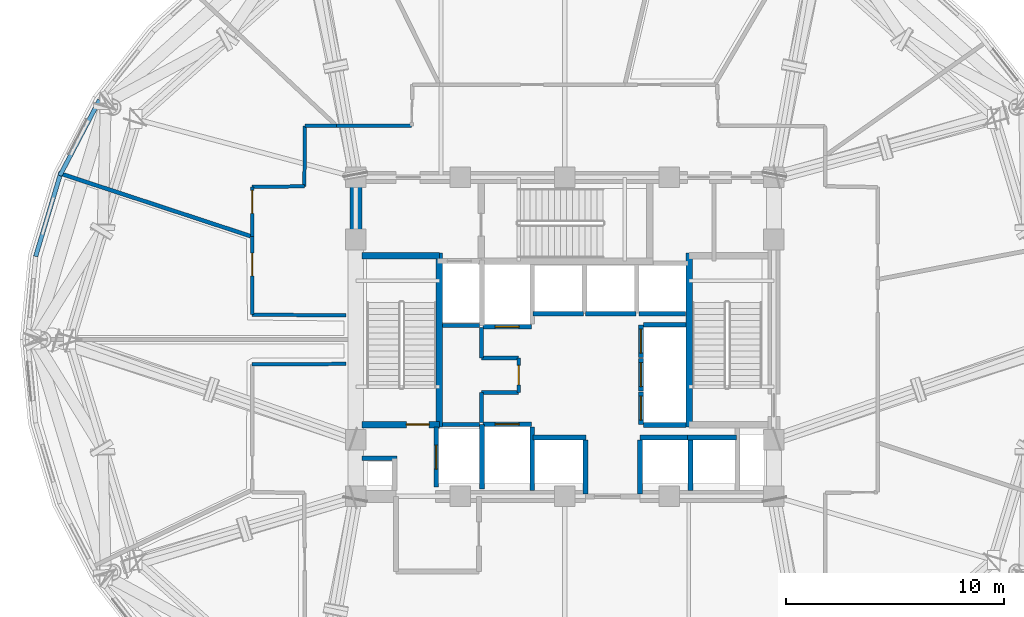
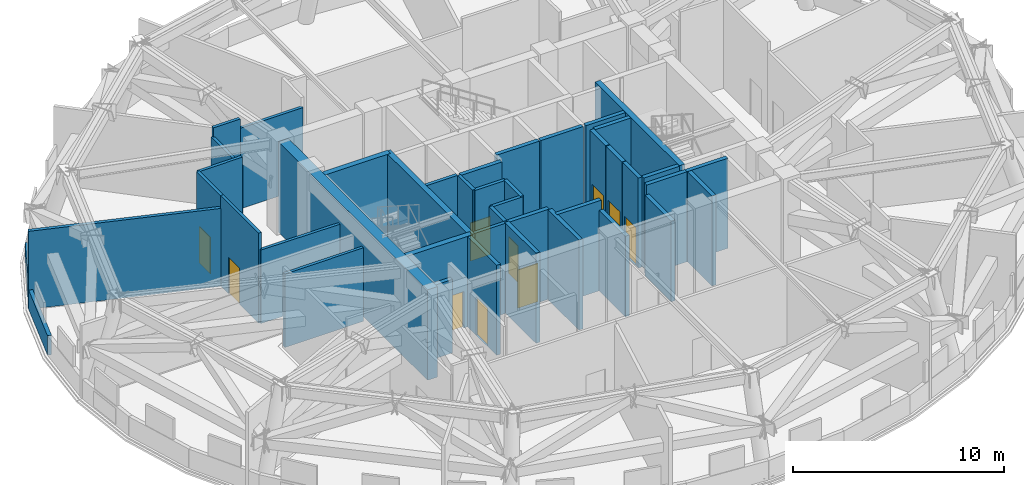
# One storey, part 7 of 13: 43 walls, 10 doors, 10 openings.
"""IFC4 building model written with IfcOpenShell, lengths in metres."""

from ifc_helpers import new_model, si_unit, direction, frame, frame_2d, origin, place, context, subcontext, project, spatial, rectangle, extrude, material, layer, layer_set, type_object, element, fill, save


model = new_model("IFC4")

# Units and contexts
model_context = context("Model", 3, precision=1e-05, world=origin(), true_north=direction((0.0, 1.0)))
body_context = subcontext(model_context, "Body", "Model", "MODEL_VIEW")
ifc_project = project(units=[si_unit("LENGTHUNIT", "METRE"), si_unit("AREAUNIT", "SQUARE_METRE"), si_unit("VOLUMEUNIT", "CUBIC_METRE"), si_unit("PLANEANGLEUNIT", "RADIAN"), si_unit("MASSUNIT", "GRAM", prefix="KILO")], contexts=[model_context])

# Site, building, storey
site_placement = place(None, origin())
site = spatial("IfcSite", under=ifc_project, at=site_placement, CompositionType="ELEMENT")
building_placement = place(site_placement, origin())
building = spatial("IfcBuilding", under=site, at=building_placement, Name="Vantalir Tower", CompositionType="ELEMENT")
storey_placement = place(building_placement, frame((0.0, 0.0, 175.949951171875)))
storey = spatial("IfcBuildingStorey", under=building, at=storey_placement, Name="L44", CompositionType="ELEMENT", Elevation=175.949951171875)

# Walls
ifc_material_1 = material(Name="Concrete C60/75", Category="concrete")
ifc_layer_1 = layer(ifc_material_1, 0.550048828125)
ifc_layer_set_1 = layer_set([ifc_layer_1], Name="Concrete C60/75")
wall_type_1 = type_object("IfcWallType", Name="WL-CORE-550", PredefinedType="SHEAR", material=ifc_layer_set_1)
wall_1_placement = place(storey_placement, frame((21.89990234375, 18.074951171875, 0.0), z_axis=(0.0, 0.0, 1.0), x_axis=(0.0, 1.0, 0.0)))
element("IfcWall", 1, at=wall_1_placement, inside=storey, type_object=wall_type_1, Name="L44 Core Shear Wall West", PredefinedType="SHEAR", context=body_context, shape_type="SweptSolid", body=[
    extrude(rectangle(XDim=14.10009765625, YDim=0.550048828125, at=frame_2d((7.050048828125, 0.0))), origin(), (0.0, 0.0, 1.0), 5.219970703125),
])
ifc_material_2 = material(Name="Fire-rated hotel corridor acoustic partition", Category="gypsum")
ifc_layer_2 = layer(ifc_material_2, 0.159912109375)
ifc_layer_set_2 = layer_set([ifc_layer_2], Name="Fire-rated hotel corridor acoustic partition")
wall_type_2 = type_object("IfcWallType", Name="WL-CORR-160", PredefinedType="PARTITIONING", material=ifc_layer_set_2)
wall_2_placement = place(storey_placement, frame((21.445068359375, 26.115966796875, 0.0), z_axis=(0.0, 0.0, 1.0), x_axis=(-0.999981624627, 0.006062211549, 0.0)))
element("IfcWall", 2, at=wall_2_placement, inside=storey, type_object=wall_type_2, Name="L44 Corridor Partition 01", PredefinedType="PARTITIONING", context=body_context, shape_type="SweptSolid", body=[
    extrude(rectangle(XDim=4.30908203125, YDim=0.159912109375, at=frame_2d((2.154541015625, 0.0))), origin(), (0.0, 0.0, 1.0), 4.2451171875),
])

# Wall, opening, door
wall_3_placement = place(storey_placement, frame((17.135986328125, 26.14208984375, 0.0), z_axis=(0.0, 0.0, 1.0), x_axis=(0.0, 1.0, 0.0)))
wall_3 = element("IfcWall", 3, at=wall_3_placement, inside=storey, type_object=wall_type_2, Name="L44 Corridor Partition 02", PredefinedType="PARTITIONING", context=body_context, shape_type="SweptSolid", body=[
    extrude(rectangle(XDim=3.5859375, YDim=0.159912109375, at=frame_2d((1.79296875, 0.0))), origin(), (0.0, 0.0, 1.0), 5.199951171875),
])
opening_1_placement = place(wall_3_placement, frame((1.784912109375, 0.0, 0.0)))
opening_1 = element("IfcOpeningElement", 4, at=opening_1_placement, cuts=wall_3, Name="Opening D-ST", PredefinedType="OPENING", context=body_context, shape_type="SweptSolid", body=[
    extrude(rectangle(XDim=1.050048828125, YDim=2.10009765625, at=frame_2d((0.52490234375, 1.050048828125))), frame((0.0, 0.08984375, 0.0), z_axis=(0.0, -1.0, 0.0), x_axis=(1.0, 0.0, 0.0)), (0.0, 0.0, 1.0), 0.179931640625),
])
ifc_material_3 = material(Name="Fire-rated steel door leaf", Category="steel")
door_type_1 = type_object("IfcDoorType", Name="DR-FIRE-STAIR-1050", OperationType="NOTDEFINED", PredefinedType="DOOR", material=ifc_material_3)
door_1_placement = place(opening_1_placement, origin())
door_1 = element("IfcDoor", 5, at=door_1_placement, inside=storey, type_object=door_type_1, Name="L44 Domestic Cold Water Booster Plant Room Door", OperationType="SINGLE_SWING_RIGHT", OverallHeight=2.10009765625, OverallWidth=1.050048828125, PredefinedType="DOOR", context=body_context, shape_type="SweptSolid", body=[
    extrude(rectangle(XDim=1.050048828125, YDim=2.10009765625, at=frame_2d((0.52490234375, 1.050048828125))), frame((0.0, 0.02490234375, 0.0), z_axis=(0.0, -1.0, 0.0), x_axis=(1.0, 0.0, 0.0)), (0.0, 0.0, 1.0), 0.050048828125),
])
fill(opening_1, door_1)

wall_4_placement = place(storey_placement, frame((17.135986328125, 29.72802734375, 0.0), z_axis=(0.0, 0.0, 1.0), x_axis=(0.000427578796, 0.999999908588, 0.0)))
wall_4 = element("IfcWall", 6, at=wall_4_placement, inside=storey, type_object=wall_type_2, Name="L44 Corridor Partition 03", PredefinedType="PARTITIONING", context=body_context, shape_type="SweptSolid", body=[
    extrude(rectangle(XDim=2.283935546875, YDim=0.159912109375, at=frame_2d((1.14208984375, 0.0))), origin(), (0.0, 0.0, 1.0), 5.199951171875),
])
opening_2_placement = place(wall_4_placement, frame((1.073974609375, 0.0, 0.0)))
opening_2 = element("IfcOpeningElement", 7, at=opening_2_placement, cuts=wall_4, Name="Opening D-ST", PredefinedType="OPENING", context=body_context, shape_type="SweptSolid", body=[
    extrude(rectangle(XDim=1.050048828125, YDim=2.10009765625, at=frame_2d((0.52490234375, 1.050048828125))), frame((0.0, 0.08984375, 0.0), z_axis=(0.0, -1.0, 0.0), x_axis=(1.0, 0.0, 0.0)), (0.0, 0.0, 1.0), 0.179931640625),
])
door_2_placement = place(opening_2_placement, origin())
door_2 = element("IfcDoor", 8, at=door_2_placement, inside=storey, type_object=door_type_1, Name="L44 Fire Sprinkler Transfer Pump Plant Room Door", OperationType="SINGLE_SWING_LEFT", OverallHeight=2.10009765625, OverallWidth=1.050048828125, PredefinedType="DOOR", context=body_context, shape_type="SweptSolid", body=[
    extrude(rectangle(XDim=1.050048828125, YDim=2.10009765625, at=frame_2d((0.52490234375, 1.050048828125))), frame((0.0, 0.02490234375, 0.0), z_axis=(0.0, -1.0, 0.0), x_axis=(1.0, 0.0, 0.0)), (0.0, 0.0, 1.0), 0.050048828125),
])
fill(opening_2, door_2)

# Walls
wall_5_placement = place(storey_placement, frame((17.136962890625, 32.011962890625, 0.0), z_axis=(0.0, 0.0, 1.0), x_axis=(0.999931463618, 0.01170760724, 0.0)))
element("IfcWall", 9, at=wall_5_placement, inside=storey, type_object=wall_type_2, Name="L44 Corridor Partition 04", PredefinedType="PARTITIONING", context=body_context, shape_type="SweptSolid", body=[
    extrude(rectangle(XDim=2.398193359375, YDim=0.159912109375, at=frame_2d((1.19921875, 0.0))), origin(), (0.0, 0.0, 1.0), 5.199951171875),
])
wall_6_placement = place(storey_placement, frame((19.534912109375, 32.0400390625, 0.0), z_axis=(0.0, 0.0, 1.0), x_axis=(0.009071319538, 0.999958854734, 0.0)))
element("IfcWall", 10, at=wall_6_placement, inside=storey, type_object=wall_type_2, Name="L44 Corridor Partition 05", PredefinedType="PARTITIONING", context=body_context, shape_type="SweptSolid", body=[
    extrude(rectangle(XDim=2.77197265625, YDim=0.159912109375, at=frame_2d((1.385986328125, 0.0))), origin(), (0.0, 0.0, 1.0), 4.656005859375),
])
wall_7_placement = place(storey_placement, frame((19.56005859375, 34.81201171875, 0.0), z_axis=(0.0, 0.0, 1.0), x_axis=(0.999999776886, 0.000668002523, 0.0)))
element("IfcWall", 11, at=wall_7_placement, inside=storey, type_object=wall_type_2, Name="L44 Corridor Partition 06", PredefinedType="PARTITIONING", context=body_context, shape_type="SweptSolid", body=[
    extrude(rectangle(XDim=1.4619140625, YDim=0.159912109375, at=frame_2d((0.73095703125, 0.0))), origin(), (0.0, 0.0, 1.0), 5.199951171875),
])
wall_8_placement = place(storey_placement, frame((21.02197265625, 34.81298828125, 0.0), z_axis=(0.0, 0.0, 1.0), x_axis=(0.999999838631, 0.00056810103, 0.0)))
element("IfcWall", 12, at=wall_8_placement, inside=storey, type_object=wall_type_2, Name="L44 Corridor Partition 07", PredefinedType="PARTITIONING", context=body_context, shape_type="SweptSolid", body=[
    extrude(rectangle(XDim=3.43798828125, YDim=0.159912109375, at=frame_2d((1.718994140625, 0.0))), origin(), (0.0, 0.0, 1.0), 4.656005859375),
])
wall_9_placement = place(storey_placement, frame((17.135986328125, 23.85791015625, 0.0), z_axis=(0.0, 0.0, 1.0), x_axis=(0.999981624627, 0.006062211549, 0.0)))
element("IfcWall", 13, at=wall_9_placement, inside=storey, type_object=wall_type_2, Name="L44 Corridor Partition 30", PredefinedType="PARTITIONING", context=body_context, shape_type="SweptSolid", body=[
    extrude(rectangle(XDim=4.30908203125, YDim=0.159912109375, at=frame_2d((2.154541015625, 0.0))), origin(), (0.0, 0.0, 1.0), 4.2451171875),
])
ifc_material_4 = material(Name="Concrete blockwork with fireboard lining", Category="masonry")
ifc_layer_3 = layer(ifc_material_4, 0.219970703125)
ifc_layer_set_3 = layer_set([ifc_layer_3], Name="Concrete blockwork with fireboard lining")
wall_type_3 = type_object("IfcWallType", Name="WL-FFL-220", PredefinedType="PARTITIONING", material=ifc_layer_set_3)
wall_10_placement = place(storey_placement, frame((30.0, 18.080078125, 0.0), z_axis=(0.0, 0.0, 1.0), x_axis=(0.0, 1.0, 0.0)))
element("IfcWall", 14, at=wall_10_placement, inside=storey, type_object=wall_type_3, Name="L44 Service Lift SV1 East Shaft Wall", PredefinedType="PARTITIONING", context=body_context, shape_type="SweptSolid", body=[
    extrude(rectangle(XDim=2.89990234375, YDim=0.219970703125, at=frame_2d((1.449951171875, 0.0))), origin(), (0.0, 0.0, 1.0), 5.195068359375),
])
for number, where, z_axis, x_axis, name in (
    (15, (32.449951171875, 17.919921875, 0.0), (0.0, 0.0, 1.0), (0.0, 1.0, 0.0), "L44 Shuttle Lift PL-X1 East Shaft Cheek"),
    (16, (34.949951171875, 17.919921875, 0.0), (0.0, 0.0, 1.0), (0.0, 1.0, 0.0), "L44 Shuttle Lift PL-X3 West Shaft Cheek"),
):
    element("IfcWall", number, at=place(storey_placement, frame(where, z_axis=z_axis, x_axis=x_axis)), inside=storey, type_object=wall_type_3, Name=name, PredefinedType="PARTITIONING", context=body_context, shape_type="SweptSolid", body=[
        extrude(rectangle(XDim=2.469970703125, YDim=0.219970703125, at=frame_2d((1.23486328125, 0.0))), origin(), (0.0, 0.0, 1.0), 4.656005859375),
    ])
wall_11_placement = place(storey_placement, frame((37.27490234375, 18.080078125, 0.0), z_axis=(0.0, 0.0, 1.0), x_axis=(0.0, 1.0, 0.0)))
element("IfcWall", 17, at=wall_11_placement, inside=storey, type_object=wall_type_3, Name="L44 Shuttle Lift PL-X2/X3 Shaft Divider", PredefinedType="PARTITIONING", context=body_context, shape_type="SweptSolid", body=[
    extrude(rectangle(XDim=2.309814453125, YDim=0.219970703125, at=frame_2d((1.15478515625, 0.0))), origin(), (0.0, 0.0, 1.0), 5.195068359375),
])
wall_12_placement = place(storey_placement, frame((34.909912109375, 26.18994140625, 0.0), z_axis=(0.0, 0.0, 1.0), x_axis=(1.0, 0.0, 0.0)))
element("IfcWall", 18, at=wall_12_placement, inside=storey, type_object=wall_type_3, Name="L44 High-Rise Lift PL-H3 Rear Shaft Wall", PredefinedType="PARTITIONING", context=body_context, shape_type="SweptSolid", body=[
    extrude(rectangle(XDim=2.14013671875, YDim=0.219970703125, at=frame_2d((1.070068359375, 0.0))), origin(), (0.0, 0.0, 1.0), 5.195068359375),
])
wall_13_placement = place(storey_placement, frame((22.175048828125, 19.550048828125, 0.0), z_axis=(0.0, 0.0, 1.0), x_axis=(1.0, 0.0, 0.0)))
element("IfcWall", 19, at=wall_13_placement, inside=storey, type_object=wall_type_3, Name="L44 West MEP Riser Wall N", PredefinedType="PARTITIONING", context=body_context, shape_type="SweptSolid", body=[
    extrude(rectangle(XDim=1.614990234375, YDim=0.219970703125, at=frame_2d((0.8076171875, 0.0))), origin(), (0.0, 0.0, 1.0), 4.2451171875),
])

# Wall, opening, door
wall_14_placement = place(storey_placement, frame((25.590087890625, 18.219970703125, 0.0), z_axis=(0.0, 0.0, 1.0), x_axis=(0.0, 1.0, 0.0)))
wall_14 = element("IfcWall", 20, at=wall_14_placement, inside=storey, type_object=wall_type_3, Name="L44 Lift FL1 Shaft Front Wall", PredefinedType="PARTITIONING", context=body_context, shape_type="SweptSolid", body=[
    extrude(rectangle(XDim=2.760009765625, YDim=0.219970703125, at=frame_2d((1.3798828125, 0.0))), origin(), (0.0, 0.0, 1.0), 5.199951171875),
])
opening_3_placement = place(wall_14_placement, frame((0.830078125, 0.0, 0.0)))
opening_3 = element("IfcOpeningElement", 21, at=opening_3_placement, cuts=wall_14, Name="Opening LD-FL1", PredefinedType="OPENING", context=body_context, shape_type="SweptSolid", body=[
    extrude(rectangle(XDim=1.10009765625, YDim=2.199951171875, at=frame_2d((0.550048828125, 1.10009765625))), frame((0.0, 0.119873046875, 0.0), z_axis=(0.0, -1.0, 0.0), x_axis=(1.0, 0.0, 0.0)), (0.0, 0.0, 1.0), 0.239990234375),
])
ifc_material_5 = material(Name="Brushed stainless-steel sliding lift landing door", Category="steel")
door_type_2 = type_object("IfcDoorType", Name="DR-LIFT-LANDING-1100", OperationType="DOUBLE_DOOR_SLIDING", PredefinedType="DOOR", material=ifc_material_5)
door_3_placement = place(opening_3_placement, origin())
door_3 = element("IfcDoor", 22, at=door_3_placement, inside=storey, type_object=door_type_2, Name="L44 Lift Landing Door FL1", OperationType="DOUBLE_DOOR_SLIDING", OverallHeight=2.199951171875, OverallWidth=1.10009765625, PredefinedType="DOOR", context=body_context, shape_type="SweptSolid", body=[
    extrude(rectangle(XDim=1.10009765625, YDim=2.199951171875, at=frame_2d((0.550048828125, 1.10009765625))), frame((0.0, 0.02490234375, 0.0), z_axis=(0.0, -1.0, 0.0), x_axis=(1.0, 0.0, 0.0)), (0.0, 0.0, 1.0), 0.050048828125),
])
fill(opening_3, door_3)

wall_15_placement = place(storey_placement, frame((27.739990234375, 21.110107421875, 0.0), z_axis=(0.0, 0.0, 1.0), x_axis=(1.0, 0.0, 0.0)))
wall_15 = element("IfcWall", 23, at=wall_15_placement, inside=storey, type_object=wall_type_3, Name="L44 Lift SV1 Shaft Front Wall", PredefinedType="PARTITIONING", context=body_context, shape_type="SweptSolid", body=[
    extrude(rectangle(XDim=2.219970703125, YDim=0.219970703125, at=frame_2d((1.10986328125, 0.0))), origin(), (0.0, 0.0, 1.0), 5.199951171875),
])
opening_4_placement = place(wall_15_placement, frame((0.56005859375, 0.0, 0.0)))
opening_4 = element("IfcOpeningElement", 24, at=opening_4_placement, cuts=wall_15, Name="Opening LD-SV1", PredefinedType="OPENING", context=body_context, shape_type="SweptSolid", body=[
    extrude(rectangle(XDim=1.10009765625, YDim=2.199951171875, at=frame_2d((0.550048828125, 1.10009765625))), frame((0.0, 0.119873046875, 0.0), z_axis=(0.0, -1.0, 0.0), x_axis=(1.0, 0.0, 0.0)), (0.0, 0.0, 1.0), 0.239990234375),
])
door_4_placement = place(opening_4_placement, origin())
door_4 = element("IfcDoor", 25, at=door_4_placement, inside=storey, type_object=door_type_2, Name="L44 Lift Landing Door SV1", OperationType="DOUBLE_DOOR_SLIDING", OverallHeight=2.199951171875, OverallWidth=1.10009765625, PredefinedType="DOOR", context=body_context, shape_type="SweptSolid", body=[
    extrude(rectangle(XDim=1.10009765625, YDim=2.199951171875, at=frame_2d((0.550048828125, 1.10009765625))), frame((0.0, 0.02490234375, 0.0), z_axis=(0.0, -1.0, 0.0), x_axis=(1.0, 0.0, 0.0)), (0.0, 0.0, 1.0), 0.050048828125),
])
fill(opening_4, door_4)

wall_16_placement = place(storey_placement, frame((27.739990234375, 25.590087890625, 0.0), z_axis=(0.0, 0.0, 1.0), x_axis=(1.0, 0.0, 0.0)))
wall_16 = element("IfcWall", 26, at=wall_16_placement, inside=storey, type_object=wall_type_3, Name="L44 Lift SV2 Shaft Front Wall", PredefinedType="PARTITIONING", context=body_context, shape_type="SweptSolid", body=[
    extrude(rectangle(XDim=2.219970703125, YDim=0.219970703125, at=frame_2d((1.10986328125, 0.0))), origin(), (0.0, 0.0, 1.0), 5.199951171875),
])
opening_5_placement = place(wall_16_placement, frame((0.56005859375, 0.0, 0.0)))
opening_5 = element("IfcOpeningElement", 27, at=opening_5_placement, cuts=wall_16, Name="Opening LD-SV2", PredefinedType="OPENING", context=body_context, shape_type="SweptSolid", body=[
    extrude(rectangle(XDim=1.10009765625, YDim=2.199951171875, at=frame_2d((0.550048828125, 1.10009765625))), frame((0.0, 0.119873046875, 0.0), z_axis=(0.0, -1.0, 0.0), x_axis=(1.0, 0.0, 0.0)), (0.0, 0.0, 1.0), 0.239990234375),
])
door_5_placement = place(opening_5_placement, frame((1.10009765625, 0.0, 0.0), z_axis=(0.0, 0.0, 1.0), x_axis=(-1.0, 0.0, 0.0)))
door_5 = element("IfcDoor", 28, at=door_5_placement, inside=storey, type_object=door_type_2, Name="L44 Lift Landing Door SV2", OperationType="DOUBLE_DOOR_SLIDING", OverallHeight=2.199951171875, OverallWidth=1.10009765625, PredefinedType="DOOR", context=body_context, shape_type="SweptSolid", body=[
    extrude(rectangle(XDim=1.10009765625, YDim=2.199951171875, at=frame_2d((0.550048828125, 1.10009765625))), frame((0.0, 0.02490234375, 0.0), z_axis=(0.0, -1.0, 0.0), x_axis=(1.0, 0.0, 0.0)), (0.0, 0.0, 1.0), 0.050048828125),
])
fill(opening_5, door_5)

# Walls
wall_17_placement = place(storey_placement, frame((30.0400390625, 20.510009765625, 0.0), z_axis=(0.0, 0.0, 1.0), x_axis=(1.0, 0.0, 0.0)))
element("IfcWall", 29, at=wall_17_placement, inside=storey, type_object=wall_type_3, Name="L44 Lift PL-X1 Shaft Front Wall", PredefinedType="PARTITIONING", context=body_context, shape_type="SweptSolid", body=[
    extrude(rectangle(XDim=2.419921875, YDim=0.219970703125, at=frame_2d((1.2099609375, 0.0))), origin(), (0.0, 0.0, 1.0), 5.199951171875),
])
for number, where, z_axis, x_axis, name in (
    (30, (37.139892578125, 20.510009765625, 0.0), (0.0, 0.0, 1.0), (1.0, 0.0, 0.0), "L44 Lift PL-X2 Shaft Rear Wall"),
    (31, (34.93994140625, 20.510009765625, 0.0), (0.0, 0.0, 1.0), (1.0, 0.0, 0.0), "L44 Lift PL-X3 Shaft Front Wall"),
):
    element("IfcWall", number, at=place(storey_placement, frame(where, z_axis=z_axis, x_axis=x_axis)), inside=storey, type_object=wall_type_3, Name=name, PredefinedType="PARTITIONING", context=body_context, shape_type="SweptSolid", body=[
        extrude(rectangle(XDim=2.239990234375, YDim=0.219970703125, at=frame_2d((1.1201171875, 0.0))), origin(), (0.0, 0.0, 1.0), 5.199951171875),
    ])
for number, where, z_axis, x_axis, name in (
    (32, (30.0400390625, 26.18994140625, 0.0), (0.0, 0.0, 1.0), (1.0, 0.0, 0.0), "L44 Lift PL-H1 Shaft Front Wall"),
    (33, (32.43994140625, 26.18994140625, 0.0), (0.0, 0.0, 1.0), (1.0, 0.0, 0.0), "L44 Lift PL-H2 Shaft Front Wall"),
):
    element("IfcWall", number, at=place(storey_placement, frame(where, z_axis=z_axis, x_axis=x_axis)), inside=storey, type_object=wall_type_3, Name=name, PredefinedType="PARTITIONING", context=body_context, shape_type="SweptSolid", body=[
        extrude(rectangle(XDim=2.320068359375, YDim=0.219970703125, at=frame_2d((1.16015625, 0.0))), origin(), (0.0, 0.0, 1.0), 5.199951171875),
    ])

# Wall, opening, door
wall_18_placement = place(storey_placement, frame((34.989990234375, 21.10009765625, 0.0), z_axis=(0.0, 0.0, 1.0), x_axis=(0.0, 1.0, 0.0)))
wall_18 = element("IfcWall", 34, at=wall_18_placement, inside=storey, type_object=wall_type_3, Name="L44 Lift PL-M1 Shaft Front Wall", PredefinedType="PARTITIONING", context=body_context, shape_type="SweptSolid", body=[
    extrude(rectangle(XDim=1.5, YDim=0.219970703125, at=frame_2d((0.75, 0.0))), origin(), (0.0, 0.0, 1.0), 5.199951171875),
])
opening_6_placement = place(wall_18_placement, frame((0.199951171875, 0.0, 0.0)))
opening_6 = element("IfcOpeningElement", 35, at=opening_6_placement, cuts=wall_18, Name="Opening LD-PL-M1", PredefinedType="OPENING", context=body_context, shape_type="SweptSolid", body=[
    extrude(rectangle(XDim=1.10009765625, YDim=2.199951171875, at=frame_2d((0.550048828125, 1.10009765625))), frame((0.0, 0.119873046875, 0.0), z_axis=(0.0, -1.0, 0.0), x_axis=(1.0, 0.0, 0.0)), (0.0, 0.0, 1.0), 0.239990234375),
])
door_6_placement = place(opening_6_placement, origin())
door_6 = element("IfcDoor", 36, at=door_6_placement, inside=storey, type_object=door_type_2, Name="L44 Lift Landing Door PL-M1", OperationType="DOUBLE_DOOR_SLIDING", OverallHeight=2.199951171875, OverallWidth=1.10009765625, PredefinedType="DOOR", context=body_context, shape_type="SweptSolid", body=[
    extrude(rectangle(XDim=1.10009765625, YDim=2.199951171875, at=frame_2d((0.550048828125, 1.10009765625))), frame((0.0, 0.02490234375, 0.0), z_axis=(0.0, -1.0, 0.0), x_axis=(1.0, 0.0, 0.0)), (0.0, 0.0, 1.0), 0.050048828125),
])
fill(opening_6, door_6)

wall_19_placement = place(storey_placement, frame((34.989990234375, 22.639892578125, 0.0), z_axis=(0.0, 0.0, 1.0), x_axis=(0.0, 1.0, 0.0)))
wall_19 = element("IfcWall", 37, at=wall_19_placement, inside=storey, type_object=wall_type_3, Name="L44 Lift PL-M2 Shaft Front Wall", PredefinedType="PARTITIONING", context=body_context, shape_type="SweptSolid", body=[
    extrude(rectangle(XDim=1.5, YDim=0.219970703125, at=frame_2d((0.75, 0.0))), origin(), (0.0, 0.0, 1.0), 5.199951171875),
])
opening_7_placement = place(wall_19_placement, frame((0.199951171875, 0.0, 0.0)))
opening_7 = element("IfcOpeningElement", 38, at=opening_7_placement, cuts=wall_19, Name="Opening LD-PL-M2", PredefinedType="OPENING", context=body_context, shape_type="SweptSolid", body=[
    extrude(rectangle(XDim=1.10009765625, YDim=2.199951171875, at=frame_2d((0.550048828125, 1.10009765625))), frame((0.0, 0.119873046875, 0.0), z_axis=(0.0, -1.0, 0.0), x_axis=(1.0, 0.0, 0.0)), (0.0, 0.0, 1.0), 0.239990234375),
])
door_7_placement = place(opening_7_placement, origin())
door_7 = element("IfcDoor", 39, at=door_7_placement, inside=storey, type_object=door_type_2, Name="L44 Lift Landing Door PL-M2", OperationType="DOUBLE_DOOR_SLIDING", OverallHeight=2.199951171875, OverallWidth=1.10009765625, PredefinedType="DOOR", context=body_context, shape_type="SweptSolid", body=[
    extrude(rectangle(XDim=1.10009765625, YDim=2.199951171875, at=frame_2d((0.550048828125, 1.10009765625))), frame((0.0, 0.02490234375, 0.0), z_axis=(0.0, -1.0, 0.0), x_axis=(1.0, 0.0, 0.0)), (0.0, 0.0, 1.0), 0.050048828125),
])
fill(opening_7, door_7)

wall_20_placement = place(storey_placement, frame((34.989990234375, 24.179931640625, 0.0), z_axis=(0.0, 0.0, 1.0), x_axis=(0.0, 1.0, 0.0)))
wall_20 = element("IfcWall", 40, at=wall_20_placement, inside=storey, type_object=wall_type_3, Name="L44 Lift PL-M3 Shaft Front Wall", PredefinedType="PARTITIONING", context=body_context, shape_type="SweptSolid", body=[
    extrude(rectangle(XDim=1.5, YDim=0.219970703125, at=frame_2d((0.75, 0.0))), origin(), (0.0, 0.0, 1.0), 5.199951171875),
])
opening_8_placement = place(wall_20_placement, frame((0.199951171875, 0.0, 0.0)))
opening_8 = element("IfcOpeningElement", 41, at=opening_8_placement, cuts=wall_20, Name="Opening LD-PL-M3", PredefinedType="OPENING", context=body_context, shape_type="SweptSolid", body=[
    extrude(rectangle(XDim=1.10009765625, YDim=2.199951171875, at=frame_2d((0.550048828125, 1.10009765625))), frame((0.0, 0.119873046875, 0.0), z_axis=(0.0, -1.0, 0.0), x_axis=(1.0, 0.0, 0.0)), (0.0, 0.0, 1.0), 0.239990234375),
])
door_8_placement = place(opening_8_placement, origin())
door_8 = element("IfcDoor", 42, at=door_8_placement, inside=storey, type_object=door_type_2, Name="L44 Lift Landing Door PL-M3", OperationType="DOUBLE_DOOR_SLIDING", OverallHeight=2.199951171875, OverallWidth=1.10009765625, PredefinedType="DOOR", context=body_context, shape_type="SweptSolid", body=[
    extrude(rectangle(XDim=1.10009765625, YDim=2.199951171875, at=frame_2d((0.550048828125, 1.10009765625))), frame((0.0, 0.02490234375, 0.0), z_axis=(0.0, -1.0, 0.0), x_axis=(1.0, 0.0, 0.0)), (0.0, 0.0, 1.0), 0.050048828125),
])
fill(opening_8, door_8)

# Walls
wall_21_placement = place(storey_placement, frame((27.699951171875, 18.14990234375, 0.0), z_axis=(0.0, 0.0, 1.0), x_axis=(0.0, 1.0, 0.0)))
element("IfcWall", 43, at=wall_21_placement, inside=storey, type_object=wall_type_3, Name="L44 Fire Lift FL1 Dividing Wall", PredefinedType="PARTITIONING", context=body_context, shape_type="SweptSolid", body=[
    extrude(rectangle(XDim=2.9501953125, YDim=0.219970703125, at=frame_2d((1.47509765625, 0.0))), origin(), (0.0, 0.0, 1.0), 5.199951171875),
])
for number, where, z_axis, x_axis, name in (
    (44, (35.1201171875, 21.080078125, 0.0), (0.0, 0.0, 1.0), (1.0, 0.0, 0.0), "L44 Mid-Rise Bank South Wall"),
    (45, (35.1201171875, 25.679931640625, 0.0), (0.0, 0.0, 1.0), (1.0, 0.0, 0.0), "L44 Mid-Rise Bank North Wall"),
):
    element("IfcWall", number, at=place(storey_placement, frame(where, z_axis=z_axis, x_axis=x_axis)), inside=storey, type_object=wall_type_3, Name=name, PredefinedType="PARTITIONING", context=body_context, shape_type="SweptSolid", body=[
        extrude(rectangle(XDim=1.93994140625, YDim=0.219970703125, at=frame_2d((0.969970703125, 0.0))), origin(), (0.0, 0.0, 1.0), 5.199951171875),
    ])
ifc_material_6 = material(Name="Twin-stud acoustic fire-rated gypsum partition", Category="gypsum")
ifc_layer_4 = layer(ifc_material_6, 0.179931640625)
ifc_layer_set_4 = layer_set([ifc_layer_4], Name="Twin-stud acoustic fire-rated gypsum partition")
wall_type_4 = type_object("IfcWallType", Name="WL-GUEST-180", PredefinedType="PARTITIONING", material=ifc_layer_set_4)
for number, where, z_axis, x_axis, name in (
    (46, (25.889892578125, 21.10009765625, 0.0), (0.0, 0.0, 1.0), (1.0, 0.0, 0.0), "L44 Freed West Core South Wall"),
    (47, (25.889892578125, 25.64990234375, 0.0), (0.0, 0.0, 1.0), (1.0, 0.0, 0.0), "L44 Freed West Core North Wall"),
):
    element("IfcWall", number, at=place(storey_placement, frame(where, z_axis=z_axis, x_axis=x_axis)), inside=storey, type_object=wall_type_4, Name=name, PredefinedType="PARTITIONING", context=body_context, shape_type="SweptSolid", body=[
        extrude(rectangle(XDim=1.7001953125, YDim=0.179931640625, at=frame_2d((0.85009765625, 0.0))), origin(), (0.0, 0.0, 1.0), 5.199951171875),
    ])
wall_22_placement = place(storey_placement, frame((27.679931640625, 21.18994140625, 0.0), z_axis=(0.0, 0.0, 1.0), x_axis=(0.0, 1.0, 0.0)))
element("IfcWall", 48, at=wall_22_placement, inside=storey, type_object=wall_type_4, Name="L44 West IT Room Lower East Wall", PredefinedType="PARTITIONING", context=body_context, shape_type="SweptSolid", body=[
    extrude(rectangle(XDim=1.39013671875, YDim=0.179931640625, at=frame_2d((0.695068359375, 0.0))), origin(), (0.0, 0.0, 1.0), 5.199951171875),
])
wall_23_placement = place(storey_placement, frame((27.679931640625, 22.580078125, 0.0), z_axis=(0.0, 0.0, 1.0), x_axis=(1.0, 0.0, 0.0)))
element("IfcWall", 49, at=wall_23_placement, inside=storey, type_object=wall_type_4, Name="L44 West IT Room Alcove South Wall", PredefinedType="PARTITIONING", context=body_context, shape_type="SweptSolid", body=[
    extrude(rectangle(XDim=1.699951171875, YDim=0.179931640625, at=frame_2d((0.85009765625, 0.0))), origin(), (0.0, 0.0, 1.0), 5.199951171875),
])

# Wall, opening, door
wall_24_placement = place(storey_placement, frame((29.3798828125, 22.580078125, 0.0), z_axis=(0.0, 0.0, 1.0), x_axis=(0.0, 1.0, 0.0)))
wall_24 = element("IfcWall", 50, at=wall_24_placement, inside=storey, type_object=wall_type_4, Name="L44 West IT Room Alcove East Wall", PredefinedType="PARTITIONING", context=body_context, shape_type="SweptSolid", body=[
    extrude(rectangle(XDim=1.579833984375, YDim=0.179931640625, at=frame_2d((0.7900390625, 0.0))), origin(), (0.0, 0.0, 1.0), 5.199951171875),
])
opening_9_placement = place(wall_24_placement, frame((0.340087890625, 0.0, 0.0)))
opening_9 = element("IfcOpeningElement", 51, at=opening_9_placement, cuts=wall_24, Name="Opening D-CR", PredefinedType="OPENING", context=body_context, shape_type="SweptSolid", body=[
    extrude(rectangle(XDim=0.89990234375, YDim=2.10009765625, at=frame_2d((0.449951171875, 1.050048828125))), frame((0.0, 0.099853515625, 0.0), z_axis=(0.0, -1.0, 0.0), x_axis=(1.0, 0.0, 0.0)), (0.0, 0.0, 1.0), 0.199951171875),
])
ifc_material_7 = material(Name="Fire-rated steel core service door", Category="steel")
door_type_3 = type_object("IfcDoorType", Name="DR-CORE-SERV-900", OperationType="NOTDEFINED", PredefinedType="DOOR", material=ifc_material_7)
door_9_placement = place(opening_9_placement, origin())
door_9 = element("IfcDoor", 52, at=door_9_placement, inside=storey, type_object=door_type_3, Name="L44 Core IT Comms Door", OperationType="SINGLE_SWING_RIGHT", OverallHeight=2.10009765625, OverallWidth=0.89990234375, PredefinedType="DOOR", context=body_context, shape_type="SweptSolid", body=[
    extrude(rectangle(XDim=0.89990234375, YDim=2.10009765625, at=frame_2d((0.449951171875, 1.050048828125))), frame((0.0, 0.02490234375, 0.0), z_axis=(0.0, -1.0, 0.0), x_axis=(1.0, 0.0, 0.0)), (0.0, 0.0, 1.0), 0.050048828125),
])
fill(opening_9, door_9)

# Walls
wall_25_placement = place(storey_placement, frame((27.679931640625, 24.159912109375, 0.0), z_axis=(0.0, 0.0, 1.0), x_axis=(1.0, 0.0, 0.0)))
element("IfcWall", 53, at=wall_25_placement, inside=storey, type_object=wall_type_4, Name="L44 West IT Room Alcove North Wall", PredefinedType="PARTITIONING", context=body_context, shape_type="SweptSolid", body=[
    extrude(rectangle(XDim=1.699951171875, YDim=0.179931640625, at=frame_2d((0.85009765625, 0.0))), origin(), (0.0, 0.0, 1.0), 5.199951171875),
])
wall_26_placement = place(storey_placement, frame((27.679931640625, 24.159912109375, 0.0), z_axis=(0.0, 0.0, 1.0), x_axis=(0.0, 1.0, 0.0)))
element("IfcWall", 54, at=wall_26_placement, inside=storey, type_object=wall_type_4, Name="L44 West IT Room Upper East Wall", PredefinedType="PARTITIONING", context=body_context, shape_type="SweptSolid", body=[
    extrude(rectangle(XDim=1.400146484375, YDim=0.179931640625, at=frame_2d((0.7001953125, 0.0))), origin(), (0.0, 0.0, 1.0), 5.199951171875),
])
wall_27_placement = place(storey_placement, frame((17.06005859375, 29.7529296875, 0.0), z_axis=(0.0, 0.0, 1.0), x_axis=(-0.949849653905, 0.31270694744, 0.0)))
element("IfcWall", 55, at=wall_27_placement, inside=storey, type_object=wall_type_4, Name="L44 Radial Suite Partition 07", PredefinedType="PARTITIONING", context=body_context, shape_type="SweptSolid", body=[
    extrude(rectangle(XDim=9.28369140625, YDim=0.179931640625, at=frame_2d((4.641845703125, 0.0))), origin(), (0.0, 0.0, 1.0), 4.5029296875),
])
ifc_material_8 = material(Name="Concrete C40/50 parapet upstand", Category="concrete")
ifc_layer_5 = layer(ifc_material_8, 0.199951171875)
ifc_layer_set_5 = layer_set([ifc_layer_5], Name="Concrete C40/50 parapet upstand")
wall_type_5 = type_object("IfcWallType", Name="WL-PARA-200", PredefinedType="PARAPET", material=ifc_layer_set_5)
wall_28_placement = place(storey_placement, frame((10.1259765625, 36.006103515625, 0.0), z_axis=(0.0, 0.0, 1.0), x_axis=(-0.463318628084, -0.886191767549, 0.0)))
element("IfcWall", 56, at=wall_28_placement, inside=storey, type_object=wall_type_5, Name="L44 Refuge Perimeter Parapet R16", PredefinedType="PARAPET", context=body_context, shape_type="SweptSolid", body=[
    extrude(rectangle(XDim=3.923583984375, YDim=0.199951171875, at=frame_2d((1.9619140625, 0.0))), origin(), (0.0, 0.0, 1.0), 1.1201171875),
])
wall_29_placement = place(storey_placement, frame((8.30810546875, 32.529052734375, 0.0), z_axis=(0.0, 0.0, 1.0), x_axis=(-0.28756777926, -0.957760289598, 0.0)))
element("IfcWall", 57, at=wall_29_placement, inside=storey, type_object=wall_type_5, Name="L44 Refuge Perimeter Parapet R17", PredefinedType="PARAPET", context=body_context, shape_type="SweptSolid", body=[
    extrude(rectangle(XDim=3.87060546875, YDim=0.199951171875, at=frame_2d((1.935302734375, 0.0))), origin(), (0.0, 0.0, 1.0), 1.1201171875),
])

# Wall, opening, door
ifc_material_9 = material(Name="Concrete C50/60", Category="concrete")
ifc_layer_6 = layer(ifc_material_9, 0.300048828125)
ifc_layer_set_6 = layer_set([ifc_layer_6], Name="Concrete C50/60")
wall_type_6 = type_object("IfcWallType", Name="WL-STAIR-300", PredefinedType="SHEAR", material=ifc_layer_set_6)
wall_30_placement = place(storey_placement, frame((22.175048828125, 21.10009765625, 0.0), z_axis=(0.0, 0.0, 1.0), x_axis=(1.0, 0.0, 0.0)))
wall_30 = element("IfcWall", 58, at=wall_30_placement, inside=storey, type_object=wall_type_6, Name="L44 Stair ST1 South Wall", PredefinedType="SHEAR", context=body_context, shape_type="SweptSolid", body=[
    extrude(rectangle(XDim=3.56494140625, YDim=0.300048828125, at=frame_2d((1.782470703125, 0.0))), origin(), (0.0, 0.0, 1.0), 5.219970703125),
])
opening_10_placement = place(wall_30_placement, frame((2.044921875, 0.0, 0.0)))
opening_10 = element("IfcOpeningElement", 59, at=opening_10_placement, cuts=wall_30, Name="Opening D-ST", PredefinedType="OPENING", context=body_context, shape_type="SweptSolid", body=[
    extrude(rectangle(XDim=1.050048828125, YDim=2.10009765625, at=frame_2d((0.52490234375, 1.050048828125))), frame((0.0, 0.159912109375, 0.0), z_axis=(0.0, -1.0, 0.0), x_axis=(1.0, 0.0, 0.0)), (0.0, 0.0, 1.0), 0.320068359375),
])
door_10_placement = place(opening_10_placement, origin())
door_10 = element("IfcDoor", 60, at=door_10_placement, inside=storey, type_object=door_type_1, Name="L44 Exit Stair ST1 Fire Door", OperationType="SINGLE_SWING_LEFT", OverallHeight=2.10009765625, OverallWidth=1.050048828125, PredefinedType="DOOR", context=body_context, shape_type="SweptSolid", body=[
    extrude(rectangle(XDim=1.050048828125, YDim=2.10009765625, at=frame_2d((0.52490234375, 1.050048828125))), frame((0.0, 0.02490234375, 0.0), z_axis=(0.0, -1.0, 0.0), x_axis=(1.0, 0.0, 0.0)), (0.0, 0.0, 1.0), 0.050048828125),
])
fill(opening_10, door_10)

# Walls
wall_31_placement = place(storey_placement, frame((22.175048828125, 28.85009765625, 0.0), z_axis=(0.0, 0.0, 1.0), x_axis=(1.0, 0.0, 0.0)))
element("IfcWall", 61, at=wall_31_placement, inside=storey, type_object=wall_type_6, Name="L44 Stair ST1 North Wall", PredefinedType="SHEAR", context=body_context, shape_type="SweptSolid", body=[
    extrude(rectangle(XDim=3.56494140625, YDim=0.300048828125, at=frame_2d((1.782470703125, 0.0))), origin(), (0.0, 0.0, 1.0), 5.219970703125),
])
for number, where, z_axis, x_axis, name in (
    (62, (25.739990234375, 20.97998046875, 0.0), (0.0, 0.0, 1.0), (0.0, 1.0, 0.0), "L44 Stair ST1 East Wall"),
    (63, (37.2099609375, 20.97998046875, 0.0), (0.0, 0.0, 1.0), (0.0, 1.0, 0.0), "L44 Stair ST2 West Wall"),
):
    element("IfcWall", number, at=place(storey_placement, frame(where, z_axis=z_axis, x_axis=x_axis)), inside=storey, type_object=wall_type_6, Name=name, PredefinedType="SHEAR", context=body_context, shape_type="SweptSolid", body=[
        extrude(rectangle(XDim=7.989990234375, YDim=0.300048828125, at=frame_2d((3.9951171875, 0.0))), origin(), (0.0, 0.0, 1.0), 5.219970703125),
    ])

save(model, "model.ifc")
